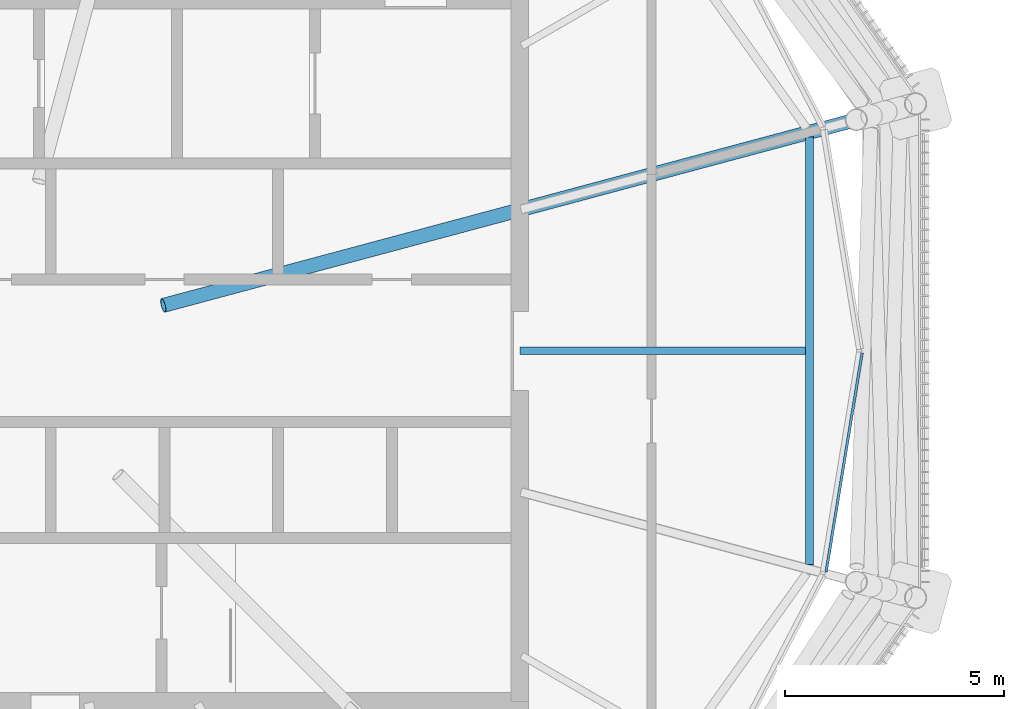
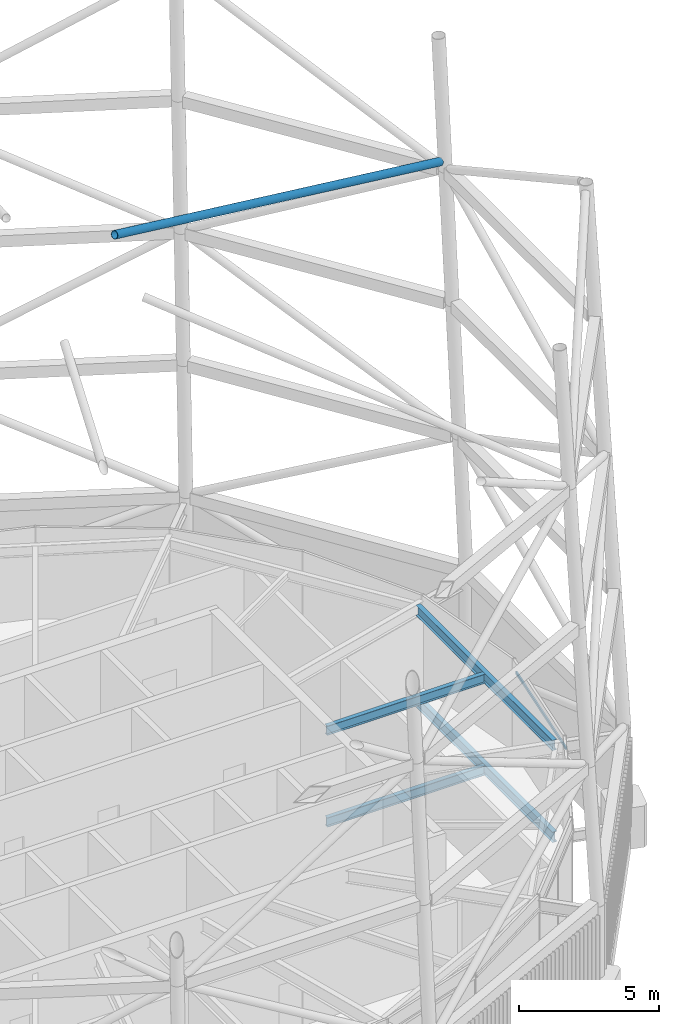
# One storey, part 22 of 71: 4 beams, 2 members, 1 element without a shape of its own.
"""IFC4 building model written with IfcOpenShell, lengths in metres."""

from ifc_helpers import new_model, si_unit, direction, frame, origin, origin_2d, place, context, subcontext, project, spatial, rectangle, hollow_circle, i_section, extrude, material, material_profile, profile_set, type_object, element, aggregate, save


model = new_model("IFC4")

# Units and contexts
model_context = context("Model", 3, precision=1e-05, world=origin(), true_north=direction((0.0, 1.0)))
body_context = subcontext(model_context, "Body", "Model", "MODEL_VIEW")
ifc_project = project(units=[si_unit("LENGTHUNIT", "METRE"), si_unit("AREAUNIT", "SQUARE_METRE"), si_unit("VOLUMEUNIT", "CUBIC_METRE"), si_unit("PLANEANGLEUNIT", "RADIAN"), si_unit("MASSUNIT", "GRAM", prefix="KILO")], contexts=[model_context])

# Site, building, storey
site_placement = place(None, origin())
site = spatial("IfcSite", under=ifc_project, at=site_placement, CompositionType="ELEMENT")
building_placement = place(site_placement, origin())
building = spatial("IfcBuilding", under=site, at=building_placement, Name="Rimbun Link Towers", CompositionType="ELEMENT")
storey_placement = place(building_placement, frame((0.0, 0.0, 267.60009765625)))
storey = spatial("IfcBuildingStorey", under=building, at=storey_placement, Name="L65", CompositionType="ELEMENT", Elevation=267.60009765625)

# Curtain wall, member
ifc_material_1 = material(Name="Aluminium 6063-T6 louvre wall", Category="aluminium")
curtain_wall_type = type_object("IfcCurtainWallType", Name="CW6 plant floor louvre wall", PredefinedType="NOTDEFINED", material=ifc_material_1)
curtain_wall_placement = place(storey_placement, origin())
curtain_wall = element("IfcCurtainWall", 1, at=curtain_wall_placement, inside=storey, type_object=curtain_wall_type, Name="CW6 L65 T1", PredefinedType="NOTDEFINED")
ifc_material_2 = material(Name="Aluminium 6063-T6", Category="aluminium")
ifc_material_profile_1 = material_profile(ifc_material_2, rectangle(XDim=0.06005859375, YDim=0.1201171875, at=origin_2d()), Name="TRANSOM 60X120")
ifc_profile_set_1 = profile_set([ifc_material_profile_1], Name="Aluminium 6063-T6")
member_type_1 = type_object("IfcMemberType", Name="CW6 transom 60X120", PredefinedType="USERDEFINED", material=ifc_profile_set_1)
member_1_placement = place(storey_placement, frame((-11.942138671875, -0.05078125, 3.39990234375), z_axis=(-0.16227804182, -0.986745072014, 0.0), x_axis=(0.986745072014, -0.16227804182, 0.0)))
member_1 = element("IfcMember", 2, at=member_1_placement, type_object=member_type_1, Name="CW6 transom", ObjectType="TRANSOM", PredefinedType="USERDEFINED", context=body_context, shape_type="SweptSolid", body=[
    extrude(rectangle(XDim=0.06005859375, YDim=0.1201171875, at=origin_2d()), origin(), (0.0, 0.0, 1.0), 5.0595703125),
])
aggregate(curtain_wall, [member_1])

# Member
ifc_material_3 = material(Name="Steel S355J2H", Category="steel")
ifc_material_profile_2 = material_profile(ifc_material_3, hollow_circle(Radius=0.161865234375, WallThickness=0.011962890625, at=origin_2d()), Name="Crown frame brace CHS 324x12")
ifc_profile_set_2 = profile_set([ifc_material_profile_2], Name="Steel S355J2H")
member_type_2 = type_object("IfcMemberType", Name="Crown frame brace CHS 324x12", PredefinedType="BRACE", material=ifc_profile_set_2)
member_2_placement = place(storey_placement, frame((-27.88623046875, 1.035400390625, 27.39990234375), z_axis=(0.92493329965, 0.247830718588, -0.288233110731), x_axis=(-0.258814746101, 0.965926978193, 0.0)))
element("IfcMember", 3, at=member_2_placement, inside=storey, type_object=member_type_2, Name="CROWN FRAME hub stay T1 00", PredefinedType="BRACE", context=body_context, shape_type="SweptSolid", body=[
    extrude(hollow_circle(Radius=0.161865234375, WallThickness=0.011962890625, at=origin_2d()), origin(), (0.0, 0.0, 1.0), 17.17333984375),
])

# Beams
ifc_material_4 = material(Name="Steel S355J2", Category="steel")
ifc_material_profile_3 = material_profile(ifc_material_4, i_section(OverallWidth=0.177978515625, OverallDepth=0.406494140625, WebThickness=0.0078125, FlangeThickness=0.0126953125, at=origin_2d()), Name="UB 406x178x60")
ifc_profile_set_3 = profile_set([ifc_material_profile_3], Name="Steel S355J2")
beam_type_1 = type_object("IfcBeamType", Name="UB 406x178x60", PredefinedType="BEAM", material=ifc_profile_set_3)
for number, where, z_axis, x_axis, name in (
    (4, (-19.7490234375, 0.0, -0.4033203125), (1.0, 0.0, 0.0), (0.0, 1.0, 0.0), "Radial beam T1 L65 00"),
    (5, (-19.7490234375, 0.0, 3.5966796875), (1.0, 0.0, 0.0), (0.0, 1.0, 0.0), "Radial beam T1 L65 00"),
):
    element("IfcBeam", number, at=place(storey_placement, frame(where, z_axis=z_axis, x_axis=x_axis)), inside=storey, type_object=beam_type_1, Name=name, PredefinedType="BEAM", context=body_context, shape_type="SweptSolid", body=[
        extrude(i_section(OverallWidth=0.177978515625, OverallDepth=0.406494140625, WebThickness=0.0078125, FlangeThickness=0.0126953125, at=origin_2d()), origin(), (0.0, 0.0, 1.0), 6.509521484375),
    ])
ifc_material_5 = material(Name="Steel S355J2", Category="steel")
ifc_material_profile_4 = material_profile(ifc_material_5, i_section(OverallWidth=0.18994140625, OverallDepth=0.453369140625, WebThickness=0.008544921875, FlangeThickness=0.0126953125, at=origin_2d()), Name="UB 457x191x67")
ifc_profile_set_4 = profile_set([ifc_material_profile_4], Name="Steel S355J2")
beam_type_2 = type_object("IfcBeamType", Name="UB 457x191x67", PredefinedType="BEAM", material=ifc_profile_set_4)
beam_1_placement = place(storey_placement, frame((-13.1435546875, -4.88623046875, -0.4267578125), z_axis=(0.0, 1.0, 0.0), x_axis=(-1.0, 0.0, 0.0)))
element("IfcBeam", 6, at=beam_1_placement, inside=storey, type_object=beam_type_2, Name="Edge beam T1 L65 23-01", PredefinedType="BEAM", context=body_context, shape_type="SweptSolid", body=[
    extrude(i_section(OverallWidth=0.18994140625, OverallDepth=0.453369140625, WebThickness=0.008544921875, FlangeThickness=0.0126953125, at=origin_2d()), origin(), (0.0, 0.0, 1.0), 9.7724609375),
])
beam_2_placement = place(storey_placement, frame((-13.1435546875, -4.876220703125, 3.5732421875), z_axis=(0.0, 1.0, 0.0), x_axis=(-1.0, 0.0, 0.0)))
element("IfcBeam", 7, at=beam_2_placement, inside=storey, type_object=beam_type_2, Name="Edge beam T1 L65 23-01", PredefinedType="BEAM", context=body_context, shape_type="SweptSolid", body=[
    extrude(i_section(OverallWidth=0.18994140625, OverallDepth=0.453369140625, WebThickness=0.008544921875, FlangeThickness=0.0126953125, at=origin_2d()), origin(), (0.0, 0.0, 1.0), 9.75244140625),
])

save(model, "model.ifc")
